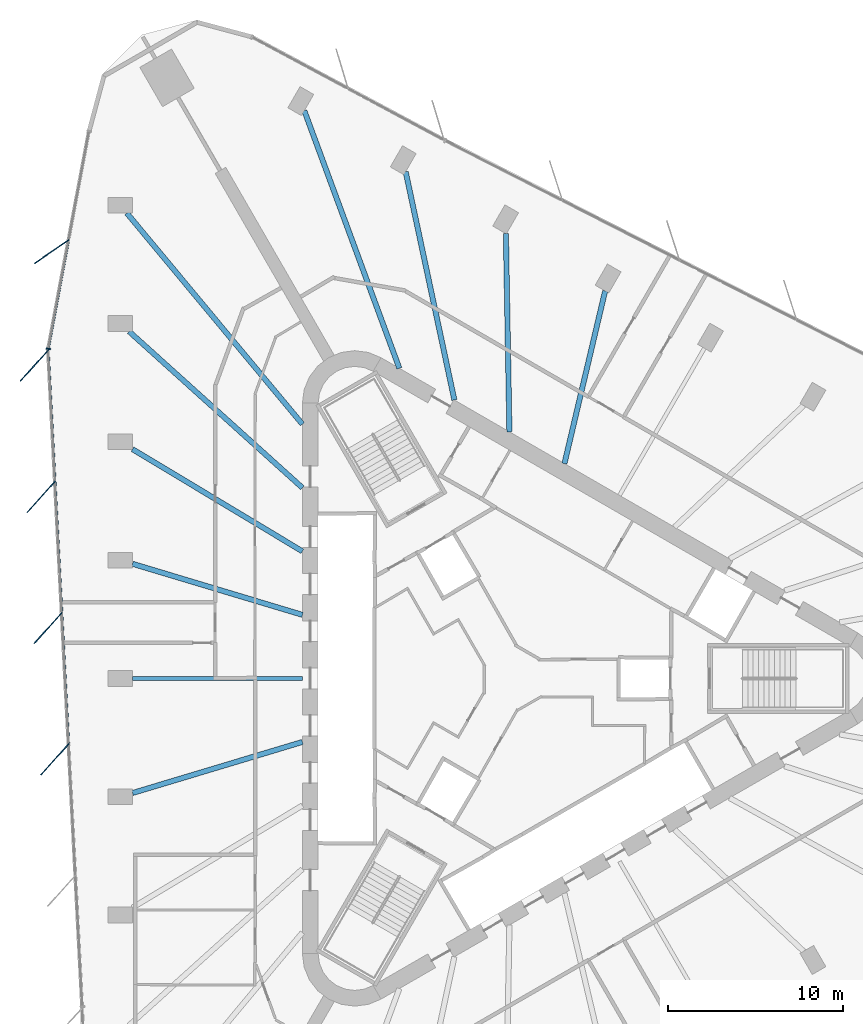
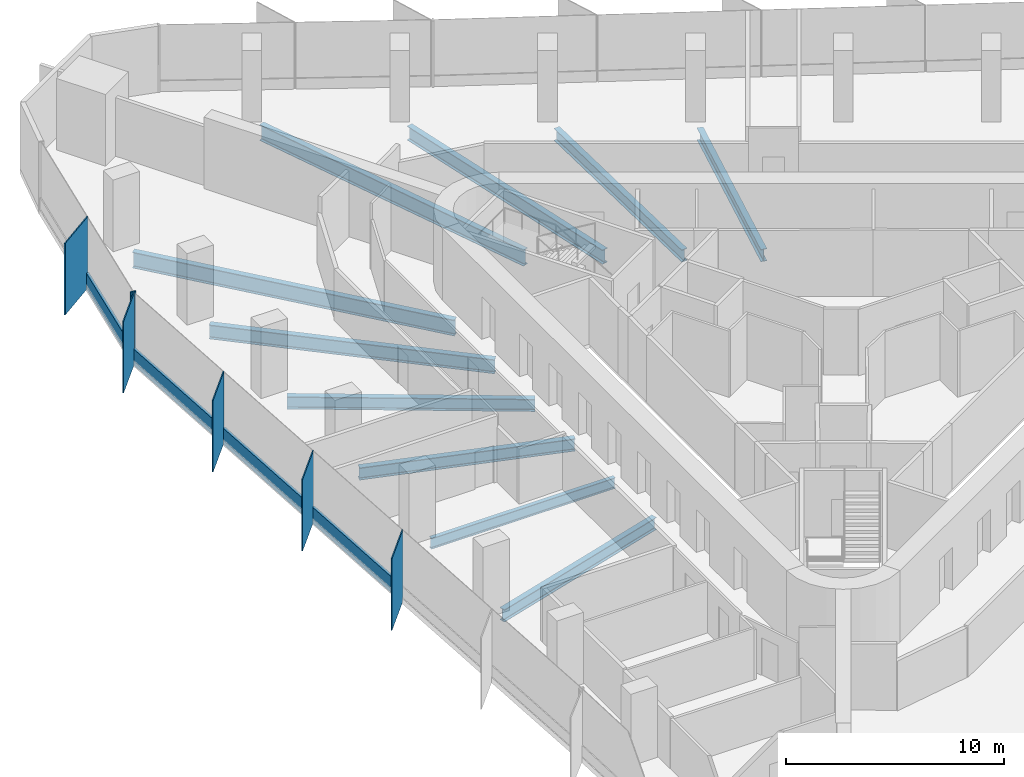
# One storey, part 4 of 13: 10 beams, 10 members, 2 elements without a shape of their own.
"""IFC4 building model written with IfcOpenShell, lengths in metres."""

from ifc_helpers import new_model, si_unit, direction, frame, origin, origin_2d, place, context, subcontext, project, spatial, rectangle, i_section, extrude, material, material_profile, profile_set, type_object, element, aggregate, save


model = new_model("IFC4")

# Units and contexts
model_context = context("Model", 3, precision=1e-05, world=origin(), true_north=direction((0.0, 1.0)))
body_context = subcontext(model_context, "Body", "Model", "MODEL_VIEW")
ifc_project = project(units=[si_unit("LENGTHUNIT", "METRE"), si_unit("AREAUNIT", "SQUARE_METRE"), si_unit("VOLUMEUNIT", "CUBIC_METRE"), si_unit("PLANEANGLEUNIT", "RADIAN"), si_unit("MASSUNIT", "GRAM", prefix="KILO")], contexts=[model_context])

# Site, building, storey
site_placement = place(None, origin())
site = spatial("IfcSite", under=ifc_project, at=site_placement, CompositionType="ELEMENT")
building_placement = place(site_placement, origin())
building = spatial("IfcBuilding", under=site, at=building_placement, Name="Tanit Gate Tower", CompositionType="ELEMENT")
storey_placement = place(building_placement, frame((0.0, 0.0, 173.199951171875)))
storey = spatial("IfcBuildingStorey", under=building, at=storey_placement, Name="L37", CompositionType="ELEMENT", Elevation=173.199951171875)

# Curtain wall, member
ifc_material_1 = material(Name="Aluminium bronze anodised and glass", Category="aluminium")
curtain_wall_type = type_object("IfcCurtainWallType", Name="Curtain wall typical mid", PredefinedType="NOTDEFINED", material=ifc_material_1)
curtain_wall_1_placement = place(storey_placement, origin())
curtain_wall_1 = element("IfcCurtainWall", 1, at=curtain_wall_1_placement, inside=storey, type_object=curtain_wall_type, Name="Curtain wall L37 W1", PredefinedType="NOTDEFINED")
ifc_material_2 = material(Name="Aluminium bronze anodised", Category="aluminium")
ifc_material_profile_1 = material_profile(ifc_material_2, rectangle(XDim=2.39990234375, YDim=0.055908203125, at=origin_2d()), Name="56x2400 bronze fin mullion")
ifc_profile_set_1 = profile_set([ifc_material_profile_1], Name="Aluminium bronze anodised")
member_type_1 = type_object("IfcMemberType", Name="FIN MULLION 56x2400 bronze", PredefinedType="MULLION", material=ifc_profile_set_1)
member_1_placement = place(storey_placement, frame((-26.4541015625, 24.430908203125, -0.300048828125), z_axis=(0.0, 0.0, 1.0), x_axis=(0.825254067471, 0.564761652489, 0.0)))
member_1 = element("IfcMember", 2, at=member_1_placement, type_object=member_type_1, Name="Fin mullion L37 W1.2", PredefinedType="MULLION", context=body_context, shape_type="SweptSolid", body=[
    extrude(rectangle(XDim=2.39990234375, YDim=0.055908203125, at=origin_2d()), origin(), (0.0, 0.0, 1.0), 4.0),
])

# Curtain wall, members
curtain_wall_2_placement = place(storey_placement, origin())
curtain_wall_2 = element("IfcCurtainWall", 3, at=curtain_wall_2_placement, inside=storey, type_object=curtain_wall_type, Name="Curtain wall L37 W2", PredefinedType="NOTDEFINED")
member_2_placement = place(storey_placement, frame((-27.443359375, 17.911865234375, -0.300048828125), z_axis=(0.0, 0.0, 1.0), x_axis=(0.66948111798, 0.742829073656, 0.0)))
member_2 = element("IfcMember", 4, at=member_2_placement, type_object=member_type_1, Name="Fin mullion L37 W2.1", PredefinedType="MULLION", context=body_context, shape_type="SweptSolid", body=[
    extrude(rectangle(XDim=2.39990234375, YDim=0.055908203125, at=origin_2d()), origin(), (0.0, 0.0, 1.0), 4.0),
])
member_3_placement = place(storey_placement, frame((-27.052978515625, 10.396240234375, -0.300048828125), z_axis=(0.0, 0.0, 1.0), x_axis=(0.66948111798, 0.742829073656, 0.0)))
member_3 = element("IfcMember", 5, at=member_3_placement, type_object=member_type_1, Name="Fin mullion L37 W2.2", PredefinedType="MULLION", context=body_context, shape_type="SweptSolid", body=[
    extrude(rectangle(XDim=2.39990234375, YDim=0.055908203125, at=origin_2d()), origin(), (0.0, 0.0, 1.0), 4.0),
])
member_4_placement = place(storey_placement, frame((-26.66259765625, 2.880615234375, -0.300048828125), z_axis=(0.0, 0.0, 1.0), x_axis=(0.66948111798, 0.742829073656, 0.0)))
member_4 = element("IfcMember", 6, at=member_4_placement, type_object=member_type_1, Name="Fin mullion L37 W2.3", PredefinedType="MULLION", context=body_context, shape_type="SweptSolid", body=[
    extrude(rectangle(XDim=2.39990234375, YDim=0.055908203125, at=origin_2d()), origin(), (0.0, 0.0, 1.0), 4.0),
])
member_5_placement = place(storey_placement, frame((-26.2724609375, -4.635009765625, -0.300048828125), z_axis=(0.0, 0.0, 1.0), x_axis=(0.66948111798, 0.742829073656, 0.0)))
member_5 = element("IfcMember", 7, at=member_5_placement, type_object=member_type_1, Name="Fin mullion L37 W2.4", PredefinedType="MULLION", context=body_context, shape_type="SweptSolid", body=[
    extrude(rectangle(XDim=2.39990234375, YDim=0.055908203125, at=origin_2d()), origin(), (0.0, 0.0, 1.0), 4.0),
])

# Member
ifc_material_3 = material(Name="Aluminium bronze anodised", Category="aluminium")
ifc_material_profile_2 = material_profile(ifc_material_3, rectangle(XDim=0.260009765625, YDim=0.080078125, at=origin_2d()), Name="80x260 bronze mullion")
ifc_profile_set_2 = profile_set([ifc_material_profile_2], Name="Aluminium bronze anodised")
member_type_2 = type_object("IfcMemberType", Name="Mullion 80x260 typical mid", PredefinedType="MULLION", material=ifc_profile_set_2)
member_6_placement = place(storey_placement, frame((-26.64892578125, 18.86669921875, -0.300048828125), z_axis=(0.0, 0.0, 1.0), x_axis=(0.98288954154, -0.184195953081, 0.0)))
member_6 = element("IfcMember", 8, at=member_6_placement, type_object=member_type_2, Name="Mullion L37 W1.3", PredefinedType="MULLION", context=body_context, shape_type="SweptSolid", body=[
    extrude(rectangle(XDim=0.260009765625, YDim=0.080078125, at=origin_2d()), origin(), (0.0, 0.0, 1.0), 4.0),
])

# Beams
ifc_material_4 = material(Name="Steel S355", Category="steel")
ifc_material_profile_3 = material_profile(ifc_material_4, i_section(OverallWidth=0.300048828125, OverallDepth=0.68994140625, WebThickness=0.014404296875, FlangeThickness=0.027099609375, FilletRadius=0.027099609375, at=origin_2d()), Name="HEA 700")
ifc_profile_set_3 = profile_set([ifc_material_profile_3], Name="Steel S355")
beam_type_1 = type_object("IfcBeamType", Name="RADIAL GIRDER HEA 700 S355", PredefinedType="BEAM", material=ifc_profile_set_3)
beam_1_placement = place(storey_placement, frame((-21.823486328125, -6.560546875, -0.64501953125), z_axis=(0.957665283908, 0.287884011361, 0.0), x_axis=(-0.287884011361, 0.957665283908, 0.0)))
element("IfcBeam", 9, at=beam_1_placement, inside=storey, type_object=beam_type_1, Name="RADIAL GIRDER", PredefinedType="BEAM", context=body_context, shape_type="SweptSolid", body=[
    extrude(i_section(OverallWidth=0.300048828125, OverallDepth=0.68994140625, WebThickness=0.014404296875, FlangeThickness=0.027099609375, FilletRadius=0.027099609375, at=origin_2d()), origin(), (0.0, 0.0, 1.0), 10.151123046875),
])
beam_2_placement = place(storey_placement, frame((5.22998046875, 22.18017578125, -0.64501953125), z_axis=(-0.22948703754, -0.973311717592, 0.0), x_axis=(0.973311717592, -0.22948703754, 0.0)))
element("IfcBeam", 10, at=beam_2_placement, inside=storey, type_object=beam_type_1, Name="RADIAL GIRDER", PredefinedType="BEAM", context=body_context, shape_type="SweptSolid", body=[
    extrude(i_section(OverallWidth=0.300048828125, OverallDepth=0.68994140625, WebThickness=0.014404296875, FlangeThickness=0.027099609375, FilletRadius=0.027099609375, at=origin_2d()), origin(), (0.0, 0.0, 1.0), 10.1513671875),
])
for number, where, z_axis, x_axis, name in (
    (11, (-0.451416015625, 25.460205078125, -0.64501953125), (0.017734805859, -0.999842725963, 0.0), (0.999842725963, 0.017734805859, 0.0), "RADIAL GIRDER"),
    (12, (-21.823486328125, 13.12109375, -0.64501953125), (0.857021594062, -0.51528049382, 0.0), (0.51528049382, 0.857021594062, 0.0), "RADIAL GIRDER"),
):
    element("IfcBeam", number, at=place(storey_placement, frame(where, z_axis=z_axis, x_axis=x_axis)), inside=storey, type_object=beam_type_1, Name=name, PredefinedType="BEAM", context=body_context, shape_type="SweptSolid", body=[
        extrude(i_section(OverallWidth=0.300048828125, OverallDepth=0.68994140625, WebThickness=0.014404296875, FlangeThickness=0.027099609375, FilletRadius=0.027099609375, at=origin_2d()), origin(), (0.0, 0.0, 1.0), 11.34326171875),
    ])
beam_3_placement = place(storey_placement, frame((-21.823486328125, 6.560546875, -0.64501953125), z_axis=(0.957665283908, -0.287884011361, 0.0), x_axis=(0.287884011361, 0.957665283908, 0.0)))
element("IfcBeam", 13, at=beam_3_placement, inside=storey, type_object=beam_type_1, Name="RADIAL GIRDER", PredefinedType="BEAM", context=body_context, shape_type="SweptSolid", body=[
    extrude(i_section(OverallWidth=0.300048828125, OverallDepth=0.68994140625, WebThickness=0.014404296875, FlangeThickness=0.027099609375, FilletRadius=0.027099609375, at=origin_2d()), origin(), (0.0, 0.0, 1.0), 10.151123046875),
])
ifc_material_5 = material(Name="Steel S355", Category="steel")
ifc_material_profile_4 = material_profile(ifc_material_5, i_section(OverallWidth=0.300048828125, OverallDepth=0.7900390625, WebThickness=0.014892578125, FlangeThickness=0.028076171875, FilletRadius=0.030029296875, at=origin_2d()), Name="HEA 800")
ifc_profile_set_4 = profile_set([ifc_material_profile_4], Name="Steel S355")
beam_type_2 = type_object("IfcBeamType", Name="RADIAL GIRDER HEA 800 S355", PredefinedType="BEAM", material=ifc_profile_set_4)
beam_4_placement = place(storey_placement, frame((-6.189453125, 29.00537109375, -0.695068359375), z_axis=(0.208696725108, -0.977980407232, 0.0), x_axis=(0.977980407232, 0.208696725108, 0.0)))
element("IfcBeam", 14, at=beam_4_placement, inside=storey, type_object=beam_type_2, Name="RADIAL GIRDER", PredefinedType="BEAM", context=body_context, shape_type="SweptSolid", body=[
    extrude(i_section(OverallWidth=0.300048828125, OverallDepth=0.7900390625, WebThickness=0.014892578125, FlangeThickness=0.028076171875, FilletRadius=0.030029296875, at=origin_2d()), origin(), (0.0, 0.0, 1.0), 13.36181640625),
])
beam_5_placement = place(storey_placement, frame((-22.024658203125, 19.86279296875, -0.695068359375), z_axis=(0.742618722564, -0.669714441309, 0.0), x_axis=(0.669714441309, 0.742618722564, 0.0)))
element("IfcBeam", 15, at=beam_5_placement, inside=storey, type_object=beam_type_2, Name="RADIAL GIRDER", PredefinedType="BEAM", context=body_context, shape_type="SweptSolid", body=[
    extrude(i_section(OverallWidth=0.300048828125, OverallDepth=0.7900390625, WebThickness=0.014892578125, FlangeThickness=0.028076171875, FilletRadius=0.030029296875, at=origin_2d()), origin(), (0.0, 0.0, 1.0), 13.361572265625),
])
ifc_material_6 = material(Name="Steel S355", Category="steel")
ifc_material_profile_5 = material_profile(ifc_material_6, i_section(OverallWidth=0.300048828125, OverallDepth=0.889892578125, WebThickness=0.01611328125, FlangeThickness=0.030029296875, FilletRadius=0.030029296875, at=origin_2d()), Name="HEA 900")
ifc_profile_set_5 = profile_set([ifc_material_profile_5], Name="Steel S355")
beam_type_3 = type_object("IfcBeamType", Name="RADIAL GIRDER HEA 900 S355", PredefinedType="BEAM", material=ifc_profile_set_5)
for number, where, z_axis, x_axis, name in (
    (16, (-11.990966796875, 32.498779296875, -0.744873046875), (0.346151727989, -0.93817854442, 0.0), (0.93817854442, 0.346151727989, 0.0), "RADIAL GIRDER"),
    (17, (-22.1494140625, 26.6337890625, -0.744873046875), (0.639410789887, -0.768865294949, 0.0), (0.768865294949, 0.639410789887, 0.0), "RADIAL GIRDER"),
):
    element("IfcBeam", number, at=place(storey_placement, frame(where, z_axis=z_axis, x_axis=x_axis)), inside=storey, type_object=beam_type_3, Name=name, PredefinedType="BEAM", context=body_context, shape_type="SweptSolid", body=[
        extrude(i_section(OverallWidth=0.300048828125, OverallDepth=0.889892578125, WebThickness=0.01611328125, FlangeThickness=0.030029296875, FilletRadius=0.030029296875, at=origin_2d()), origin(), (0.0, 0.0, 1.0), 15.71337890625),
    ])
ifc_material_7 = material(Name="Steel S355", Category="steel")
ifc_material_profile_6 = material_profile(ifc_material_7, i_section(OverallWidth=0.219970703125, OverallDepth=0.60009765625, WebThickness=0.011962890625, FlangeThickness=0.01904296875, FilletRadius=0.02392578125, at=origin_2d()), Name="IPE 600")
ifc_profile_set_6 = profile_set([ifc_material_profile_6], Name="Steel S355")
beam_type_4 = type_object("IfcBeamType", Name="RADIAL GIRDER IPE 600 S355", PredefinedType="BEAM", material=ifc_profile_set_6)
beam_6_placement = place(storey_placement, frame((-21.823486328125, 0.0, -0.599853515625), z_axis=(1.0, 0.0, 0.0), x_axis=(0.0, 1.0, 0.0)))
element("IfcBeam", 18, at=beam_6_placement, inside=storey, type_object=beam_type_4, Name="RADIAL GIRDER", PredefinedType="BEAM", context=body_context, shape_type="SweptSolid", body=[
    extrude(i_section(OverallWidth=0.219970703125, OverallDepth=0.60009765625, WebThickness=0.011962890625, FlangeThickness=0.01904296875, FilletRadius=0.02392578125, at=origin_2d()), origin(), (0.0, 0.0, 1.0), 9.721435546875),
])

# Member
ifc_material_8 = material(Name="Aluminium bronze anodised", Category="aluminium")
ifc_material_profile_7 = material_profile(ifc_material_8, rectangle(XDim=0.139892578125, YDim=0.89990234375, at=origin_2d()), Name="140x900 bronze transom")
ifc_profile_set_7 = profile_set([ifc_material_profile_7], Name="Aluminium bronze anodised")
member_type_3 = type_object("IfcMemberType", Name="Transom 140x900 typical mid", PredefinedType="USERDEFINED", material=ifc_profile_set_7)
member_7_placement = place(storey_placement, frame((-25.48876953125, 25.057373046875, 0.150146484375), z_axis=(-0.184173118733, -0.982893820479, 0.0), x_axis=(0.982893820479, -0.184173118733, 0.0)))
member_7 = element("IfcMember", 19, at=member_7_placement, type_object=member_type_3, Name="Transom L37 W1.2", ObjectType="TRANSOM", PredefinedType="USERDEFINED", context=body_context, shape_type="SweptSolid", body=[
    extrude(rectangle(XDim=0.139892578125, YDim=0.89990234375, at=origin_2d()), origin(), (0.0, 0.0, 1.0), 6.258056640625),
])

aggregate(curtain_wall_1, [member_1, member_6, member_7])

member_8_placement = place(storey_placement, frame((-26.652099609375, 18.74755859375, 0.150146484375), z_axis=(0.051872154399, -0.998653733582, 0.0), x_axis=(0.998653733582, 0.051872154399, 0.0)))
member_8 = element("IfcMember", 20, at=member_8_placement, type_object=member_type_3, Name="Transom L37 W2.1", ObjectType="TRANSOM", PredefinedType="USERDEFINED", context=body_context, shape_type="SweptSolid", body=[
    extrude(rectangle(XDim=0.139892578125, YDim=0.89990234375, at=origin_2d()), origin(), (0.0, 0.0, 1.0), 7.44580078125),
])

member_9_placement = place(storey_placement, frame((-26.26171875, 11.23193359375, 0.150146484375), z_axis=(0.051872154399, -0.998653733582, 0.0), x_axis=(0.998653733582, 0.051872154399, 0.0)))
member_9 = element("IfcMember", 21, at=member_9_placement, type_object=member_type_3, Name="Transom L37 W2.2", ObjectType="TRANSOM", PredefinedType="USERDEFINED", context=body_context, shape_type="SweptSolid", body=[
    extrude(rectangle(XDim=0.139892578125, YDim=0.89990234375, at=origin_2d()), origin(), (0.0, 0.0, 1.0), 7.44580078125),
])

member_10_placement = place(storey_placement, frame((-25.871337890625, 3.71630859375, 0.150146484375), z_axis=(0.051839453569, -0.998655431595, 0.0), x_axis=(0.998655431595, 0.051839453569, 0.0)))
member_10 = element("IfcMember", 22, at=member_10_placement, type_object=member_type_3, Name="Transom L37 W2.3", ObjectType="TRANSOM", PredefinedType="USERDEFINED", context=body_context, shape_type="SweptSolid", body=[
    extrude(rectangle(XDim=0.139892578125, YDim=0.89990234375, at=origin_2d()), origin(), (0.0, 0.0, 1.0), 7.44580078125),
])

aggregate(curtain_wall_2, [member_2, member_3, member_4, member_5, member_8, member_9, member_10])

save(model, "model.ifc")
